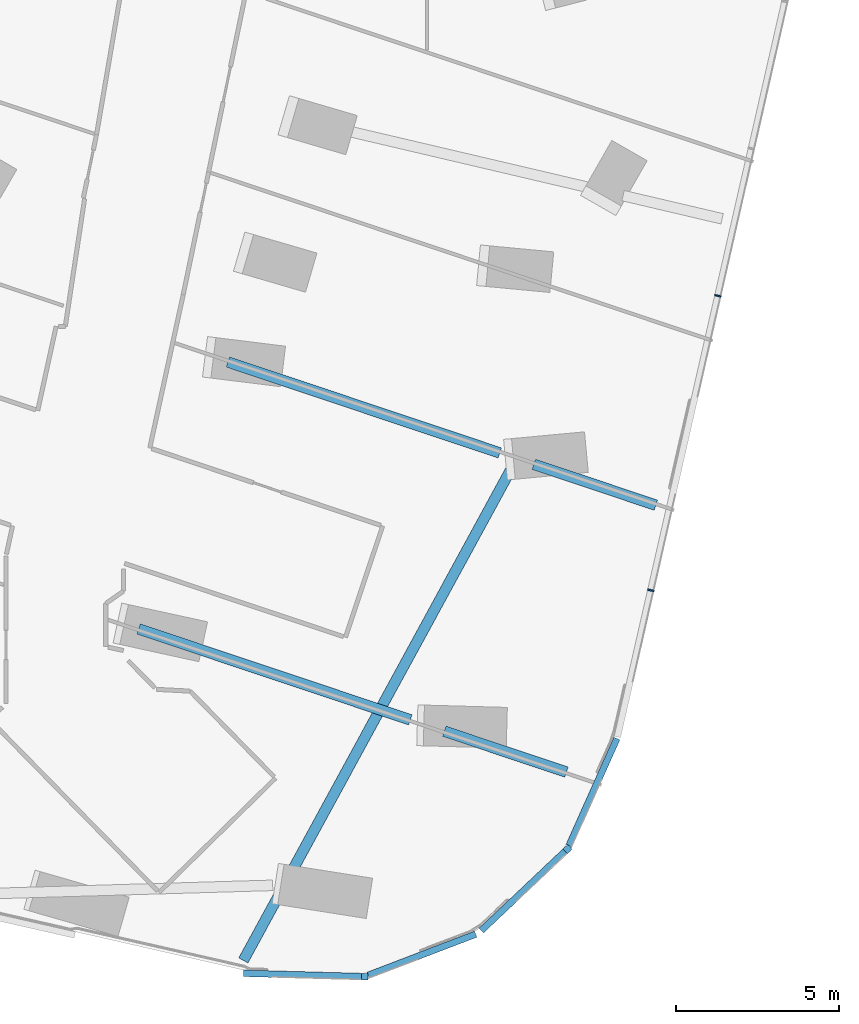
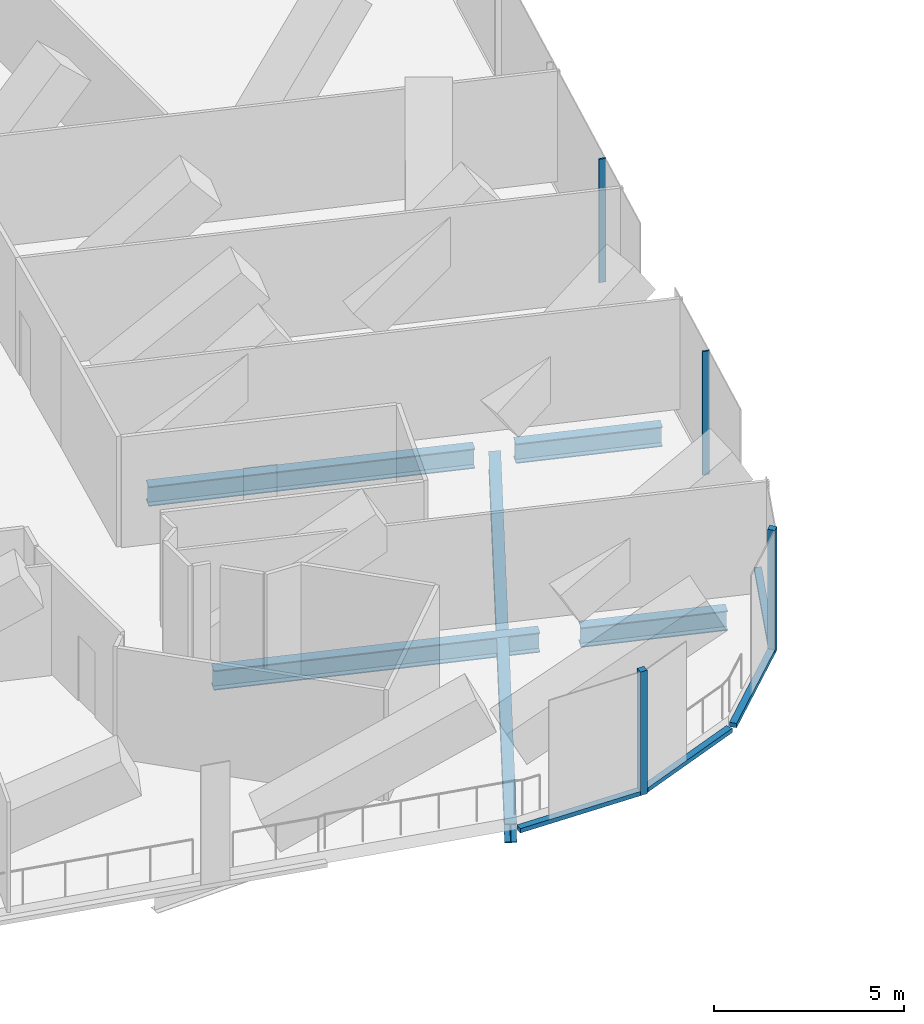
# One storey, part 4 of 28: 8 members, 5 beams, 5 elements without a shape of their own.
"""IFC4 building model written with IfcOpenShell, lengths in metres."""

from ifc_helpers import new_model, si_unit, direction, frame, origin, origin_2d, place, context, subcontext, project, spatial, rectangle, i_section, extrude, material, material_profile, profile_set, type_object, element, aggregate, save


model = new_model("IFC4")

# Units and contexts
model_context = context("Model", 3, precision=1e-05, world=origin(), true_north=direction((0.0, 1.0)))
body_context = subcontext(model_context, "Body", "Model", "MODEL_VIEW")
ifc_project = project(units=[si_unit("LENGTHUNIT", "METRE"), si_unit("AREAUNIT", "SQUARE_METRE"), si_unit("VOLUMEUNIT", "CUBIC_METRE"), si_unit("PLANEANGLEUNIT", "RADIAN"), si_unit("MASSUNIT", "GRAM", prefix="KILO")], contexts=[model_context])

# Site, building, storey
site_placement = place(None, origin())
site = spatial("IfcSite", under=ifc_project, at=site_placement, CompositionType="ELEMENT")
building_placement = place(site_placement, origin())
building = spatial("IfcBuilding", under=site, at=building_placement, Name="Orlundy Tower", CompositionType="ELEMENT")
storey_placement = place(building_placement, frame((0.0, 0.0, 163.10009765625)))
storey = spatial("IfcBuildingStorey", under=building, at=storey_placement, Name="L42", CompositionType="ELEMENT", Elevation=163.10009765625)

# Beams
ifc_material_1 = material(Name="Steel ASTM A992 Gr 50", Category="steel")
ifc_material_profile_1 = material_profile(ifc_material_1, i_section(OverallWidth=0.32373046875, OverallDepth=0.611083984375, WebThickness=0.0126953125, FlangeThickness=0.01904296875, at=origin_2d()), Name="W24X104")
ifc_profile_set_1 = profile_set([ifc_material_profile_1], Name="Steel ASTM A992 Gr 50")
beam_type_1 = type_object("IfcBeamType", Name="CANTILEVER GIRDER beam W24X104", PredefinedType="BEAM", material=ifc_profile_set_1)
beam_1_placement = place(storey_placement, frame((-3.197021484375, -61.025634765625, -0.705810546875), z_axis=(0.478451442382, 0.878114011551, 0.0), x_axis=(-0.878114011551, 0.478451442382, 0.0)))
element("IfcBeam", 1, at=beam_1_placement, inside=storey, type_object=beam_type_1, Name="Cantilever girder C-B5-5 L42", PredefinedType="BEAM", context=body_context, shape_type="SweptSolid", body=[
    extrude(i_section(OverallWidth=0.32373046875, OverallDepth=0.611083984375, WebThickness=0.0126953125, FlangeThickness=0.01904296875, at=origin_2d()), origin(), (0.0, 0.0, 1.0), 17.16357421875),
])
ifc_material_2 = material(Name="Steel ASTM A992 Gr 50", Category="steel")
ifc_material_profile_2 = material_profile(ifc_material_2, i_section(OverallWidth=0.3291015625, OverallDepth=0.635009765625, WebThickness=0.017822265625, FlangeThickness=0.031005859375, at=origin_2d()), Name="W24X162")
ifc_profile_set_2 = profile_set([ifc_material_profile_2], Name="Steel ASTM A992 Gr 50")
beam_type_2 = type_object("IfcBeamType", Name="CANTILEVER GIRDER beam W24X162", PredefinedType="BEAM", material=ifc_profile_set_2)
beam_2_placement = place(storey_placement, frame((9.454345703125, -47.06591796875, -0.717529296875), z_axis=(-0.948318000887, 0.317321554882, 0.0), x_axis=(-0.317321554882, -0.948318000887, 0.0)))
element("IfcBeam", 2, at=beam_2_placement, inside=storey, type_object=beam_type_2, Name="Cantilever girder C-B5-2 L42", PredefinedType="BEAM", context=body_context, shape_type="SweptSolid", body=[
    extrude(i_section(OverallWidth=0.3291015625, OverallDepth=0.635009765625, WebThickness=0.017822265625, FlangeThickness=0.031005859375, at=origin_2d()), origin(), (0.0, 0.0, 1.0), 3.949951171875),
])
beam_3_placement = place(storey_placement, frame((4.665283203125, -45.46337890625, -0.717529296875), z_axis=(-0.948327186939, 0.317294100972, 0.0), x_axis=(-0.317294100972, -0.948327186939, 0.0)))
element("IfcBeam", 3, at=beam_3_placement, inside=storey, type_object=beam_type_2, Name="Back-span girder C-B5-2 L42", PredefinedType="BEAM", context=body_context, shape_type="SweptSolid", body=[
    extrude(i_section(OverallWidth=0.3291015625, OverallDepth=0.635009765625, WebThickness=0.017822265625, FlangeThickness=0.031005859375, at=origin_2d()), origin(), (0.0, 0.0, 1.0), 8.7900390625),
])
beam_4_placement = place(storey_placement, frame((6.71142578125, -55.25048828125, -0.717529296875), z_axis=(-0.948355194488, 0.317210379855, 0.0), x_axis=(-0.317210379855, -0.948355194488, 0.0)))
element("IfcBeam", 4, at=beam_4_placement, inside=storey, type_object=beam_type_2, Name="Cantilever girder C-B5-3 L42", PredefinedType="BEAM", context=body_context, shape_type="SweptSolid", body=[
    extrude(i_section(OverallWidth=0.3291015625, OverallDepth=0.635009765625, WebThickness=0.017822265625, FlangeThickness=0.031005859375, at=origin_2d()), origin(), (0.0, 0.0, 1.0), 3.949951171875),
])
beam_5_placement = place(storey_placement, frame((1.922607421875, -53.6484375, -0.717529296875), z_axis=(-0.948343751087, 0.317244589826, 0.0), x_axis=(-0.317244589826, -0.948343751087, 0.0)))
element("IfcBeam", 5, at=beam_5_placement, inside=storey, type_object=beam_type_2, Name="Back-span girder C-B5-3 L42", PredefinedType="BEAM", context=body_context, shape_type="SweptSolid", body=[
    extrude(i_section(OverallWidth=0.3291015625, OverallDepth=0.635009765625, WebThickness=0.017822265625, FlangeThickness=0.031005859375, at=origin_2d()), origin(), (0.0, 0.0, 1.0), 8.7861328125),
])

# Curtain wall, member
ifc_material_3 = material(Name="Aluminium bronze anodised", Category="aluminium")
curtain_wall_type = type_object("IfcCurtainWallType", Name="CW5 wall", PredefinedType="NOTDEFINED", material=ifc_material_3)
curtain_wall_1_placement = place(storey_placement, origin())
curtain_wall_1 = element("IfcCurtainWall", 6, at=curtain_wall_1_placement, inside=storey, type_object=curtain_wall_type, Name="CW5 run 033", PredefinedType="NOTDEFINED")
ifc_material_4 = material(Name="Aluminium bronze anodised", Category="aluminium")
ifc_material_profile_3 = material_profile(ifc_material_4, rectangle(XDim=0.199951171875, YDim=0.199951171875, at=origin_2d()), Name="CW5 corner post 200x200")
ifc_profile_set_3 = profile_set([ifc_material_profile_3], Name="Aluminium bronze anodised")
member_type_1 = type_object("IfcMemberType", Name="CW5 corner post 200x200", PredefinedType="MULLION", material=ifc_profile_set_3)
member_1_placement = place(storey_placement, frame((6.7431640625, -57.611083984375, -0.400146484375), z_axis=(0.0, 0.0, 1.0), x_axis=(0.687280644864, -0.726391984534, 0.0)))
member_1 = element("IfcMember", 7, at=member_1_placement, type_object=member_type_1, Name="CW5 mullion 50", PredefinedType="MULLION", context=body_context, shape_type="SweptSolid", body=[
    extrude(rectangle(XDim=0.199951171875, YDim=0.199951171875, at=origin_2d()), origin(), (0.0, 0.0, 1.0), 3.97998046875),
])

curtain_wall_2_placement = place(storey_placement, origin())
curtain_wall_2 = element("IfcCurtainWall", 8, at=curtain_wall_2_placement, inside=storey, type_object=curtain_wall_type, Name="CW5 run 035", PredefinedType="NOTDEFINED")
member_2_placement = place(storey_placement, frame((0.522216796875, -61.5234375, -0.400146484375), z_axis=(0.0, 0.0, 1.0), x_axis=(-0.02751993738, -0.999621254799, 0.0)))
member_2 = element("IfcMember", 9, at=member_2_placement, type_object=member_type_1, Name="CW5 mullion 52", PredefinedType="MULLION", context=body_context, shape_type="SweptSolid", body=[
    extrude(rectangle(XDim=0.199951171875, YDim=0.199951171875, at=origin_2d()), origin(), (0.0, 0.0, 1.0), 3.97998046875),
])

# Curtain wall, members
curtain_wall_3_placement = place(storey_placement, origin())
curtain_wall_3 = element("IfcCurtainWall", 10, at=curtain_wall_3_placement, inside=storey, type_object=curtain_wall_type, Name="CW5 run 031", PredefinedType="NOTDEFINED")
ifc_material_5 = material(Name="Aluminium bronze anodised", Category="aluminium")
ifc_material_profile_4 = material_profile(ifc_material_5, rectangle(XDim=0.199951171875, YDim=0.050048828125, at=origin_2d()), Name="CW5 mullion 50x200")
ifc_profile_set_4 = profile_set([ifc_material_profile_4], Name="Aluminium bronze anodised")
member_type_2 = type_object("IfcMemberType", Name="CW5 mullion 50x200", PredefinedType="MULLION", material=ifc_profile_set_4)
member_3_placement = place(storey_placement, frame((11.35595703125, -40.645263671875, -0.400146484375), z_axis=(0.0, 0.0, 1.0), x_axis=(0.975022425628, -0.222106437373, 0.0)))
member_3 = element("IfcMember", 11, at=member_3_placement, type_object=member_type_2, Name="CW5 mullion 46", PredefinedType="MULLION", context=body_context, shape_type="SweptSolid", body=[
    extrude(rectangle(XDim=0.199951171875, YDim=0.050048828125, at=origin_2d()), origin(), (0.0, 0.0, 1.0), 3.97998046875),
])
member_4_placement = place(storey_placement, frame((9.299072265625, -49.67529296875, -0.400146484375), z_axis=(0.0, 0.0, 1.0), x_axis=(0.975022425628, -0.222106437373, 0.0)))
member_4 = element("IfcMember", 12, at=member_4_placement, type_object=member_type_2, Name="CW5 mullion 48", PredefinedType="MULLION", context=body_context, shape_type="SweptSolid", body=[
    extrude(rectangle(XDim=0.199951171875, YDim=0.050048828125, at=origin_2d()), origin(), (0.0, 0.0, 1.0), 3.97998046875),
])
aggregate(curtain_wall_3, [member_3, member_4])

# Curtain wall, member
curtain_wall_4_placement = place(storey_placement, origin())
curtain_wall_4 = element("IfcCurtainWall", 13, at=curtain_wall_4_placement, inside=storey, type_object=curtain_wall_type, Name="CW5 run 032", PredefinedType="NOTDEFINED")
ifc_material_6 = material(Name="Aluminium bronze anodised", Category="aluminium")
ifc_material_profile_5 = material_profile(ifc_material_6, rectangle(XDim=0.199951171875, YDim=0.139892578125, at=origin_2d()), Name="CW5 transom 200x140")
ifc_profile_set_5 = profile_set([ifc_material_profile_5], Name="Aluminium bronze anodised")
member_type_3 = type_object("IfcMemberType", Name="CW5 transom 200x140", PredefinedType="USERDEFINED", material=ifc_profile_set_5)
member_5_placement = place(storey_placement, frame((8.258056640625, -54.22265625, -0.330078125), z_axis=(-0.408149142405, -0.912915263074, 0.0), x_axis=(0.912915263074, -0.408149142405, 0.0)))
member_5 = element("IfcMember", 14, at=member_5_placement, type_object=member_type_3, Name="CW5 transom", ObjectType="TRANSOM", PredefinedType="USERDEFINED", context=body_context, shape_type="SweptSolid", body=[
    extrude(rectangle(XDim=0.199951171875, YDim=0.139892578125, at=origin_2d()), origin(), (0.0, 0.0, 1.0), 3.603271484375),
])
aggregate(curtain_wall_4, [member_5])

# Member
member_6_placement = place(storey_placement, frame((6.670654296875, -57.6796875, -0.330078125), z_axis=(-0.726427459938, -0.687243148709, 0.0), x_axis=(0.687243148709, -0.726427459938, 0.0)))
member_6 = element("IfcMember", 15, at=member_6_placement, type_object=member_type_3, Name="CW5 transom", ObjectType="TRANSOM", PredefinedType="USERDEFINED", context=body_context, shape_type="SweptSolid", body=[
    extrude(rectangle(XDim=0.199951171875, YDim=0.139892578125, at=origin_2d()), origin(), (0.0, 0.0, 1.0), 3.5390625),
])

aggregate(curtain_wall_1, [member_1, member_6])

# Curtain wall, member
curtain_wall_5_placement = place(storey_placement, origin())
curtain_wall_5 = element("IfcCurtainWall", 16, at=curtain_wall_5_placement, inside=storey, type_object=curtain_wall_type, Name="CW5 run 034", PredefinedType="NOTDEFINED")
member_7_placement = place(storey_placement, frame((3.927978515625, -60.221923828125, -0.330078125), z_axis=(-0.934110050671, -0.35698517229, 0.0), x_axis=(0.35698517229, -0.934110050671, 0.0)))
member_7 = element("IfcMember", 17, at=member_7_placement, type_object=member_type_3, Name="CW5 transom", ObjectType="TRANSOM", PredefinedType="USERDEFINED", context=body_context, shape_type="SweptSolid", body=[
    extrude(rectangle(XDim=0.199951171875, YDim=0.139892578125, at=origin_2d()), origin(), (0.0, 0.0, 1.0), 3.537841796875),
])
aggregate(curtain_wall_5, [member_7])

# Member
member_8_placement = place(storey_placement, frame((0.422119140625, -61.520751953125, -0.330078125), z_axis=(-0.999621322567, 0.027517475704, 0.0), x_axis=(-0.027517475704, -0.999621322567, 0.0)))
member_8 = element("IfcMember", 18, at=member_8_placement, type_object=member_type_3, Name="CW5 transom", ObjectType="TRANSOM", PredefinedType="USERDEFINED", context=body_context, shape_type="SweptSolid", body=[
    extrude(rectangle(XDim=0.199951171875, YDim=0.139892578125, at=origin_2d()), origin(), (0.0, 0.0, 1.0), 3.611083984375),
])

aggregate(curtain_wall_2, [member_2, member_8])

save(model, "model.ifc")
